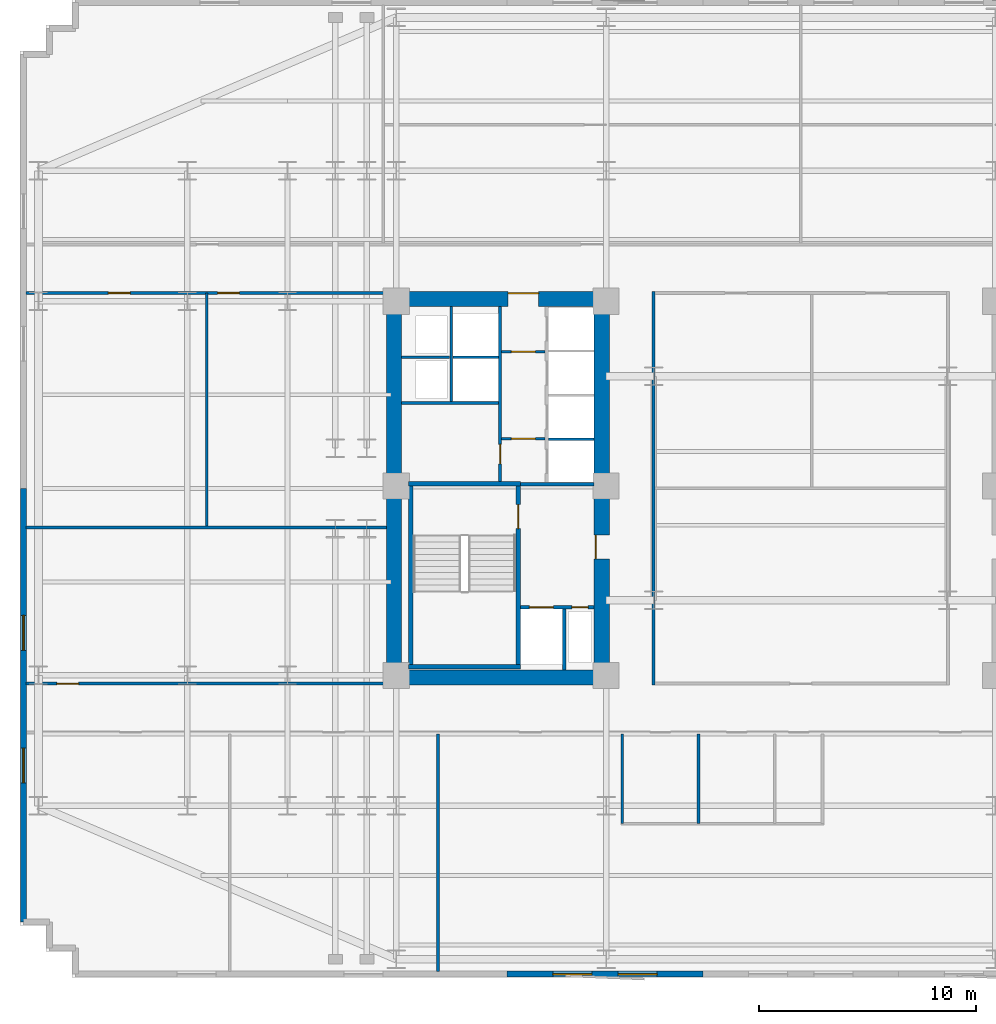
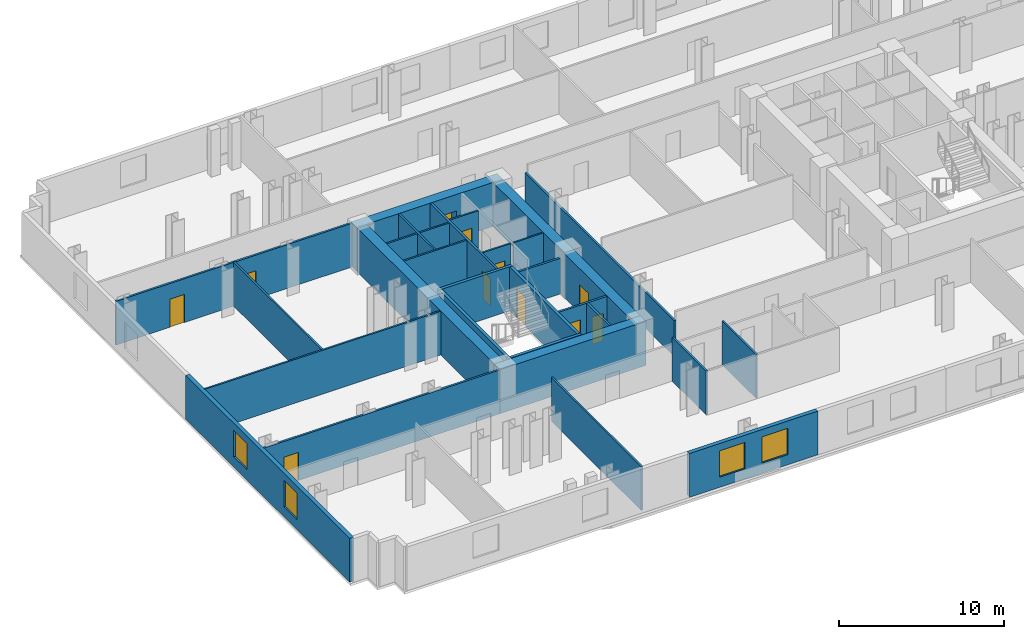
# One storey, part 4 of 10: 29 walls, 11 doors, 4 windows, 15 openings.
"""IFC4 building model written with IfcOpenShell, lengths in metres."""

from ifc_helpers import new_model, si_unit, direction, frame, frame_2d, origin, place, context, subcontext, project, spatial, rectangle, extrude, material, layer, layer_set, type_object, element, fill, save


model = new_model("IFC4")

# Units and contexts
model_context = context("Model", 3, precision=1e-05, world=origin(), true_north=direction((0.0, 1.0)))
body_context = subcontext(model_context, "Body", "Model", "MODEL_VIEW")
ifc_project = project(units=[si_unit("LENGTHUNIT", "METRE"), si_unit("AREAUNIT", "SQUARE_METRE"), si_unit("VOLUMEUNIT", "CUBIC_METRE"), si_unit("PLANEANGLEUNIT", "RADIAN"), si_unit("MASSUNIT", "GRAM", prefix="KILO")], contexts=[model_context])

# Site, building, storey
site_placement = place(None, origin())
site = spatial("IfcSite", under=ifc_project, at=site_placement, CompositionType="ELEMENT")
building_placement = place(site_placement, origin())
building = spatial("IfcBuilding", under=site, at=building_placement, Name="Velakula Bourse", CompositionType="ELEMENT")
storey_placement = place(building_placement, frame((0.0, 0.0, 55.35009765625)))
storey = spatial("IfcBuildingStorey", under=building, at=storey_placement, Name="L14", CompositionType="ELEMENT", Elevation=55.35009765625)

# Wall, opening, door
ifc_material_1 = material(Name="Concrete M50 (fck 50 MPa)", Category="concrete")
ifc_layer_1 = layer(ifc_material_1, 0.2099609375, Name="Concrete M50 (fck 50 MPa)", Category="concrete")
ifc_layer_set_1 = layer_set([ifc_layer_1], Name="Concrete M50 (fck 50 MPa)")
wall_type_1 = type_object("IfcWallType", Name="WL-CORE-210", PredefinedType="SHEAR", material=ifc_layer_set_1)
wall_1_placement = place(storey_placement, frame((-12.9951171875, -8.10009765625, 0.0), z_axis=(0.0, 0.0, 1.0), x_axis=(0.0, 1.0, 0.0)))
wall_1 = element("IfcWall", 1, at=wall_1_placement, inside=storey, type_object=wall_type_1, Name="L14 Core W Stairwell Shear Wall IN", PredefinedType="SHEAR", context=body_context, shape_type="SweptSolid", body=[
    extrude(rectangle(XDim=8.2001953125, YDim=0.2099609375, at=frame_2d((4.10009765625, 0.0))), origin(), (0.0, 0.0, 1.0), 3.27001953125),
])
opening_1_placement = place(wall_1_placement, frame((6.25, 0.0, 0.0)))
opening_1 = element("IfcOpeningElement", 2, at=opening_1_placement, cuts=wall_1, Name="Opening D-STW1", PredefinedType="OPENING", context=body_context, shape_type="SweptSolid", body=[
    extrude(rectangle(XDim=1.10009765625, YDim=2.14990234375, at=frame_2d((0.550048828125, 1.074951171875))), frame((0.0, 0.114990234375, 0.0), z_axis=(0.0, -1.0, 0.0), x_axis=(1.0, 0.0, 0.0)), (0.0, 0.0, 1.0), 0.22998046875),
])
ifc_material_2 = material(Name="Galvanised painted hollow steel fire door", Category="steel")
door_type_1 = type_object("IfcDoorType", Name="DR-FD120-1100x2150", OperationType="NOTDEFINED", PredefinedType="DOOR", material=ifc_material_2)
door_1_placement = place(opening_1_placement, origin())
door_1 = element("IfcDoor", 3, at=door_1_placement, inside=storey, type_object=door_type_1, Name="L14 Stair ST-W1 Fire Door", OperationType="SINGLE_SWING_LEFT", OverallHeight=2.14990234375, OverallWidth=1.10009765625, PredefinedType="DOOR", context=body_context, shape_type="SweptSolid", body=[
    extrude(rectangle(XDim=1.10009765625, YDim=2.14990234375, at=frame_2d((0.550048828125, 1.074951171875))), frame((0.0, 0.02490234375, 0.0), z_axis=(0.0, -1.0, 0.0), x_axis=(1.0, 0.0, 0.0)), (0.0, 0.0, 1.0), 0.050048828125),
])
fill(opening_1, door_1)

# Walls
wall_2_placement = place(storey_placement, frame((-17.925048828125, -8.10009765625, 0.0), z_axis=(0.0, 0.0, 1.0), x_axis=(0.0, 1.0, 0.0)))
element("IfcWall", 4, at=wall_2_placement, inside=storey, type_object=wall_type_1, Name="L14 Core W Stairwell Shear Wall OUT", PredefinedType="SHEAR", context=body_context, shape_type="SweptSolid", body=[
    extrude(rectangle(XDim=8.2001953125, YDim=0.2099609375, at=frame_2d((4.10009765625, 0.0))), origin(), (0.0, 0.0, 1.0), 3.27001953125),
])
for number, where, z_axis, x_axis, name in (
    (5, (-18.030029296875, -8.205078125, 0.0), (0.0, 0.0, 1.0), (1.0, 0.0, 0.0), "L14 Core W Stairwell Shear Wall S"),
    (6, (-12.889892578125, 0.205078125, 0.0), (0.0, 0.0, 1.0), (-1.0, 0.0, 0.0), "L14 Core W Stairwell Shear Wall N"),
):
    element("IfcWall", number, at=place(storey_placement, frame(where, z_axis=z_axis, x_axis=x_axis)), inside=storey, type_object=wall_type_1, Name=name, PredefinedType="SHEAR", context=body_context, shape_type="SweptSolid", body=[
        extrude(rectangle(XDim=5.14013671875, YDim=0.2099609375, at=frame_2d((2.570068359375, 0.0))), origin(), (0.0, 0.0, 1.0), 3.27001953125),
    ])
ifc_material_3 = material(Name="Concrete M70 (fck 70 MPa)", Category="concrete")
ifc_layer_2 = layer(ifc_material_3, 0.699951171875, Name="Concrete M70 (fck 70 MPa)", Category="concrete")
ifc_layer_set_2 = layer_set([ifc_layer_2], Name="Concrete M70 (fck 70 MPa)")
wall_type_2 = type_object("IfcWallType", Name="WL-CORE-700", PredefinedType="SHEAR", material=ifc_layer_set_2)
wall_3_placement = place(storey_placement, frame((-19.050048828125, -8.699951171875, 0.0), z_axis=(0.0, 0.0, 1.0), x_axis=(1.0, 0.0, 0.0)))
element("IfcWall", 7, at=wall_3_placement, inside=storey, type_object=wall_type_2, Name="L14 Core W Shear Wall S", PredefinedType="SHEAR", context=body_context, shape_type="SweptSolid", body=[
    extrude(rectangle(XDim=10.25, YDim=0.699951171875, at=frame_2d((5.125, 0.0))), origin(), (0.0, 0.0, 1.0), 3.27001953125),
])

# Wall, opening, door
wall_4_placement = place(storey_placement, frame((-19.050048828125, 8.699951171875, 0.0), z_axis=(0.0, 0.0, 1.0), x_axis=(1.0, 0.0, 0.0)))
wall_4 = element("IfcWall", 8, at=wall_4_placement, inside=storey, type_object=wall_type_2, Name="L14 Core W Shear Wall N", PredefinedType="SHEAR", context=body_context, shape_type="SweptSolid", body=[
    extrude(rectangle(XDim=10.25, YDim=0.699951171875, at=frame_2d((5.125, 0.0))), origin(), (0.0, 0.0, 1.0), 3.27001953125),
])
opening_2_placement = place(wall_4_placement, frame((5.60009765625, 0.0, 0.0)))
opening_2 = element("IfcOpeningElement", 9, at=opening_2_placement, cuts=wall_4, Name="Opening D-LLW", PredefinedType="OPENING", context=body_context, shape_type="SweptSolid", body=[
    extrude(rectangle(XDim=1.39990234375, YDim=2.050048828125, at=frame_2d((0.699951171875, 1.02490234375))), frame((0.0, 0.35986328125, 0.0), z_axis=(0.0, -1.0, 0.0), x_axis=(1.0, 0.0, 0.0)), (0.0, 0.0, 1.0), 0.719970703125),
])
ifc_material_4 = material(Name="Fire-rated hardwood flush architectural door", Category="wood")
door_type_2 = type_object("IfcDoorType", Name="DR-DBL-FD60-1400", OperationType="DOUBLE_DOOR_SINGLE_SWING", PredefinedType="DOOR", material=ifc_material_4)
door_2_placement = place(opening_2_placement, origin())
door_2 = element("IfcDoor", 10, at=door_2_placement, inside=storey, type_object=door_type_2, Name="L14 Core W Lift Lobby Corridor Double Door", OperationType="DOUBLE_DOOR_SINGLE_SWING", OverallHeight=2.050048828125, OverallWidth=1.39990234375, PredefinedType="DOOR", context=body_context, shape_type="SweptSolid", body=[
    extrude(rectangle(XDim=1.39990234375, YDim=2.050048828125, at=frame_2d((0.699951171875, 1.02490234375))), frame((0.0, 0.294921875, 0.0), z_axis=(0.0, -1.0, 0.0), x_axis=(1.0, 0.0, 0.0)), (0.0, 0.0, 1.0), 0.050048828125),
])
fill(opening_2, door_2)

# Wall
wall_5_placement = place(storey_placement, frame((-18.699951171875, -8.35009765625, 0.0), z_axis=(0.0, 0.0, 1.0), x_axis=(0.0, 1.0, 0.0)))
element("IfcWall", 11, at=wall_5_placement, inside=storey, type_object=wall_type_2, Name="L14 Core W Shear Wall W", PredefinedType="SHEAR", context=body_context, shape_type="SweptSolid", body=[
    extrude(rectangle(XDim=16.7001953125, YDim=0.699951171875, at=frame_2d((8.35009765625, 0.0))), origin(), (0.0, 0.0, 1.0), 3.27001953125),
])

# Wall, opening, door
wall_6_placement = place(storey_placement, frame((-9.14990234375, -8.35009765625, 0.0), z_axis=(0.0, 0.0, 1.0), x_axis=(0.0, 1.0, 0.0)))
wall_6 = element("IfcWall", 12, at=wall_6_placement, inside=storey, type_object=wall_type_2, Name="L14 Core W Shear Wall E", PredefinedType="SHEAR", context=body_context, shape_type="SweptSolid", body=[
    extrude(rectangle(XDim=16.7001953125, YDim=0.699951171875, at=frame_2d((8.35009765625, 0.0))), origin(), (0.0, 0.0, 1.0), 3.27001953125),
])
opening_3_placement = place(wall_6_placement, frame((5.10009765625, 0.0, 0.0)))
opening_3 = element("IfcOpeningElement", 13, at=opening_3_placement, cuts=wall_6, Name="Opening D-FLW", PredefinedType="OPENING", context=body_context, shape_type="SweptSolid", body=[
    extrude(rectangle(XDim=1.10009765625, YDim=2.080078125, at=frame_2d((0.550048828125, 1.0400390625))), frame((0.0, 0.35986328125, 0.0), z_axis=(0.0, -1.0, 0.0), x_axis=(1.0, 0.0, 0.0)), (0.0, 0.0, 1.0), 0.719970703125),
])
door_type_3 = type_object("IfcDoorType", Name="DR-FD120-1100", OperationType="NOTDEFINED", PredefinedType="DOOR", material=ifc_material_2)
door_3_placement = place(opening_3_placement, origin())
door_3 = element("IfcDoor", 14, at=door_3_placement, inside=storey, type_object=door_type_3, Name="L14 Firefighting Lobby W Corridor Fire Door", OperationType="SINGLE_SWING_LEFT", OverallHeight=2.080078125, OverallWidth=1.10009765625, PredefinedType="DOOR", context=body_context, shape_type="SweptSolid", body=[
    extrude(rectangle(XDim=1.10009765625, YDim=2.080078125, at=frame_2d((0.550048828125, 1.0400390625))), frame((0.0, 0.30517578125, 0.0), z_axis=(0.0, -1.0, 0.0), x_axis=(1.0, 0.0, 0.0)), (0.0, 0.0, 1.0), 0.050048828125),
])
fill(opening_3, door_3)

# Wall, openings, windows
ifc_material_5 = material(Name="Red kilned clay facing brick masonry", Category="masonry")
ifc_layer_3 = layer(ifc_material_5, 0.280029296875, Name="Red kilned clay facing brick masonry", Category="masonry")
ifc_layer_set_3 = layer_set([ifc_layer_3], Name="Red kilned clay facing brick masonry")
wall_type_3 = type_object("IfcWallType", Name="WL-EXT-BRK-280", PredefinedType="STANDARD", material=ifc_layer_set_3)
wall_7_placement = place(storey_placement, frame((-4.5, -22.340087890625, 0.0), z_axis=(0.0, 0.0, 1.0), x_axis=(-1.0, 0.0, 0.0)))
wall_7 = element("IfcWall", 15, at=wall_7_placement, inside=storey, type_object=wall_type_3, Name="L14 S Brick Spandrel Wall B2", PredefinedType="STANDARD", context=body_context, shape_type="SweptSolid", body=[
    extrude(rectangle(XDim=9.0, YDim=0.280029296875, at=frame_2d((4.5, 0.0))), origin(), (0.0, 0.0, 1.0), 3.25),
])
opening_4_placement = place(wall_7_placement, frame((2.10009765625, 0.0, 0.760009765625)))
opening_4 = element("IfcOpeningElement", 16, at=opening_4_placement, cuts=wall_7, Name="Opening W-01", PredefinedType="OPENING", context=body_context, shape_type="SweptSolid", body=[
    extrude(rectangle(XDim=1.800048828125, YDim=1.949951171875, at=frame_2d((0.89990234375, 0.97509765625))), frame((0.0, 0.14990234375, 0.0), z_axis=(0.0, -1.0, 0.0), x_axis=(1.0, 0.0, 0.0)), (0.0, 0.0, 1.0), 0.300048828125),
])
opening_5_placement = place(wall_7_placement, frame((5.10009765625, 0.0, 0.760009765625)))
opening_5 = element("IfcOpeningElement", 17, at=opening_5_placement, cuts=wall_7, Name="Opening W-01", PredefinedType="OPENING", context=body_context, shape_type="SweptSolid", body=[
    extrude(rectangle(XDim=1.800048828125, YDim=1.949951171875, at=frame_2d((0.89990234375, 0.97509765625))), frame((0.0, 0.14990234375, 0.0), z_axis=(0.0, -1.0, 0.0), x_axis=(1.0, 0.0, 0.0)), (0.0, 0.0, 1.0), 0.300048828125),
])
ifc_material_6 = material(Name="Double-glazed solar-control Low-E glass", Category="glass")
window_type_1 = type_object("IfcWindowType", Name="WIN-TWR-1800x2100", PartitioningType="SINGLE_PANEL", PredefinedType="WINDOW", material=ifc_material_6)
window_1_placement = place(opening_4_placement, origin())
window_1 = element("IfcWindow", 18, at=window_1_placement, inside=storey, type_object=window_type_1, Name="L14 Deep-Set Recessed Window 1", OverallHeight=1.949951171875, OverallWidth=1.800048828125, PartitioningType="SINGLE_PANEL", PredefinedType="WINDOW", context=body_context, shape_type="SweptSolid", body=[
    extrude(rectangle(XDim=1.800048828125, YDim=1.949951171875, at=frame_2d((0.89990234375, 0.97509765625))), frame((0.0, 0.030029296875, 0.0), z_axis=(0.0, -1.0, 0.0), x_axis=(1.0, 0.0, 0.0)), (0.0, 0.0, 1.0), 0.06005859375),
])
fill(opening_4, window_1)
window_2_placement = place(opening_5_placement, origin())
window_2 = element("IfcWindow", 19, at=window_2_placement, inside=storey, type_object=window_type_1, Name="L14 Deep-Set Recessed Window 2", OverallHeight=1.949951171875, OverallWidth=1.800048828125, PartitioningType="SINGLE_PANEL", PredefinedType="WINDOW", context=body_context, shape_type="SweptSolid", body=[
    extrude(rectangle(XDim=1.800048828125, YDim=1.949951171875, at=frame_2d((0.89990234375, 0.97509765625))), frame((0.0, 0.030029296875, 0.0), z_axis=(0.0, -1.0, 0.0), x_axis=(1.0, 0.0, 0.0)), (0.0, 0.0, 1.0), 0.06005859375),
])
fill(opening_5, window_2)

wall_8_placement = place(storey_placement, frame((-35.739990234375, -19.93994140625, 0.0), z_axis=(0.0, 0.0, 1.0), x_axis=(0.0, 1.0, 0.0)))
wall_8 = element("IfcWall", 20, at=wall_8_placement, inside=storey, type_object=wall_type_3, Name="L14 W Brick End Wall W1", PredefinedType="STANDARD", context=body_context, shape_type="SweptSolid", body=[
    extrude(rectangle(XDim=19.93994140625, YDim=0.280029296875, at=frame_2d((9.969970703125, 0.0))), origin(), (0.0, 0.0, 1.0), 3.25),
])
opening_6_placement = place(wall_8_placement, frame((6.396728515625, 0.0, 0.760009765625)))
opening_6 = element("IfcOpeningElement", 21, at=opening_6_placement, cuts=wall_8, Name="Opening W-02", PredefinedType="OPENING", context=body_context, shape_type="SweptSolid", body=[
    extrude(rectangle(XDim=1.60009765625, YDim=1.949951171875, at=frame_2d((0.800048828125, 0.97509765625))), frame((0.0, 0.14990234375, 0.0), z_axis=(0.0, -1.0, 0.0), x_axis=(1.0, 0.0, 0.0)), (0.0, 0.0, 1.0), 0.300048828125),
])
opening_7_placement = place(wall_8_placement, frame((12.493408203125, 0.0, 0.760009765625)))
opening_7 = element("IfcOpeningElement", 22, at=opening_7_placement, cuts=wall_8, Name="Opening W-02", PredefinedType="OPENING", context=body_context, shape_type="SweptSolid", body=[
    extrude(rectangle(XDim=1.60009765625, YDim=1.949951171875, at=frame_2d((0.800048828125, 0.97509765625))), frame((0.0, 0.14990234375, 0.0), z_axis=(0.0, -1.0, 0.0), x_axis=(1.0, 0.0, 0.0)), (0.0, 0.0, 1.0), 0.300048828125),
])
window_type_2 = type_object("IfcWindowType", Name="WIN-TWR-1600x2100", PartitioningType="SINGLE_PANEL", PredefinedType="WINDOW", material=ifc_material_6)
window_3_placement = place(opening_6_placement, origin())
window_3 = element("IfcWindow", 23, at=window_3_placement, inside=storey, type_object=window_type_2, Name="L14 Deep-Set Recessed Window 1", OverallHeight=1.949951171875, OverallWidth=1.60009765625, PartitioningType="SINGLE_PANEL", PredefinedType="WINDOW", context=body_context, shape_type="SweptSolid", body=[
    extrude(rectangle(XDim=1.60009765625, YDim=1.949951171875, at=frame_2d((0.800048828125, 0.97509765625))), frame((0.0, 0.030029296875, 0.0), z_axis=(0.0, -1.0, 0.0), x_axis=(1.0, 0.0, 0.0)), (0.0, 0.0, 1.0), 0.06005859375),
])
fill(opening_6, window_3)
window_4_placement = place(opening_7_placement, origin())
window_4 = element("IfcWindow", 24, at=window_4_placement, inside=storey, type_object=window_type_2, Name="L14 Deep-Set Recessed Window 2", OverallHeight=1.949951171875, OverallWidth=1.60009765625, PartitioningType="SINGLE_PANEL", PredefinedType="WINDOW", context=body_context, shape_type="SweptSolid", body=[
    extrude(rectangle(XDim=1.60009765625, YDim=1.949951171875, at=frame_2d((0.800048828125, 0.97509765625))), frame((0.0, 0.030029296875, 0.0), z_axis=(0.0, -1.0, 0.0), x_axis=(1.0, 0.0, 0.0)), (0.0, 0.0, 1.0), 0.06005859375),
])
fill(opening_7, window_4)

# Wall, opening, door
ifc_material_7 = material(Name="Fire-rated double-layer gypsum drywall partition", Category="gypsum")
ifc_layer_4 = layer(ifc_material_7, 0.1201171875, Name="Fire-rated double-layer gypsum drywall partition", Category="gypsum")
ifc_layer_set_4 = layer_set([ifc_layer_4], Name="Fire-rated double-layer gypsum drywall partition")
wall_type_4 = type_object("IfcWallType", Name="WL-PART-120", PredefinedType="STANDARD", material=ifc_layer_set_4)
wall_9_placement = place(storey_placement, frame((-13.75, 2.280029296875, 0.0), z_axis=(0.0, 0.0, 1.0), x_axis=(1.0, 0.0, 0.0)))
wall_9 = element("IfcWall", 25, at=wall_9_placement, inside=storey, type_object=wall_type_4, Name="L14 Interior Partition WL-CRW-L14-LL-K3A", PredefinedType="STANDARD", context=body_context, shape_type="SweptSolid", body=[
    extrude(rectangle(XDim=2.0, YDim=0.1201171875, at=frame_2d((1.0, 0.0))), origin(), (0.0, 0.0, 1.0), 3.25),
])
opening_8_placement = place(wall_9_placement, frame((0.449951171875, 0.0, 0.0)))
opening_8 = element("IfcOpeningElement", 26, at=opening_8_placement, cuts=wall_9, Name="Opening D-LK3", PredefinedType="OPENING", context=body_context, shape_type="SweptSolid", body=[
    extrude(rectangle(XDim=1.10009765625, YDim=2.10009765625, at=frame_2d((0.550048828125, 1.050048828125))), frame((0.0, 0.070068359375, 0.0), z_axis=(0.0, -1.0, 0.0), x_axis=(1.0, 0.0, 0.0)), (0.0, 0.0, 1.0), 0.14013671875),
])
door_type_4 = type_object("IfcDoorType", Name="DR-FD60-1100x2100", OperationType="NOTDEFINED", PredefinedType="DOOR", material=ifc_material_4)
door_4_placement = place(opening_8_placement, origin())
door_4 = element("IfcDoor", 27, at=door_4_placement, inside=storey, type_object=door_type_4, Name="L14 Core W Lift Lobby Vestibule Door A", OperationType="SINGLE_SWING_RIGHT", OverallHeight=2.10009765625, OverallWidth=1.10009765625, PredefinedType="DOOR", context=body_context, shape_type="SweptSolid", body=[
    extrude(rectangle(XDim=1.10009765625, YDim=2.10009765625, at=frame_2d((0.550048828125, 1.050048828125))), frame((0.0, 0.02490234375, 0.0), z_axis=(0.0, -1.0, 0.0), x_axis=(1.0, 0.0, 0.0)), (0.0, 0.0, 1.0), 0.050048828125),
])
fill(opening_8, door_4)

wall_10_placement = place(storey_placement, frame((-13.75, 6.280029296875, 0.0), z_axis=(0.0, 0.0, 1.0), x_axis=(1.0, 0.0, 0.0)))
wall_10 = element("IfcWall", 28, at=wall_10_placement, inside=storey, type_object=wall_type_4, Name="L14 Interior Partition WL-CRW-L14-LL-K3B", PredefinedType="STANDARD", context=body_context, shape_type="SweptSolid", body=[
    extrude(rectangle(XDim=2.0, YDim=0.1201171875, at=frame_2d((1.0, 0.0))), origin(), (0.0, 0.0, 1.0), 3.25),
])
opening_9_placement = place(wall_10_placement, frame((0.449951171875, 0.0, 0.0)))
opening_9 = element("IfcOpeningElement", 29, at=opening_9_placement, cuts=wall_10, Name="Opening D-LK3", PredefinedType="OPENING", context=body_context, shape_type="SweptSolid", body=[
    extrude(rectangle(XDim=1.10009765625, YDim=2.10009765625, at=frame_2d((0.550048828125, 1.050048828125))), frame((0.0, 0.070068359375, 0.0), z_axis=(0.0, -1.0, 0.0), x_axis=(1.0, 0.0, 0.0)), (0.0, 0.0, 1.0), 0.14013671875),
])
door_5_placement = place(opening_9_placement, origin())
door_5 = element("IfcDoor", 30, at=door_5_placement, inside=storey, type_object=door_type_4, Name="L14 Core W Lift Lobby Vestibule Door B", OperationType="SINGLE_SWING_RIGHT", OverallHeight=2.10009765625, OverallWidth=1.10009765625, PredefinedType="DOOR", context=body_context, shape_type="SweptSolid", body=[
    extrude(rectangle(XDim=1.10009765625, YDim=2.10009765625, at=frame_2d((0.550048828125, 1.050048828125))), frame((0.0, 0.02490234375, 0.0), z_axis=(0.0, -1.0, 0.0), x_axis=(1.0, 0.0, 0.0)), (0.0, 0.0, 1.0), 0.050048828125),
])
fill(opening_9, door_5)

# Walls
wall_11_placement = place(storey_placement, frame((-11.60009765625, 2.2548828125, 0.0), z_axis=(0.0, 0.0, 1.0), x_axis=(1.0, 0.0, 0.0)))
element("IfcWall", 31, at=wall_11_placement, inside=storey, type_object=wall_type_4, Name="L14 Interior Partition WL-CRW-L14-BDIV-0", PredefinedType="STANDARD", context=body_context, shape_type="SweptSolid", body=[
    extrude(rectangle(XDim=2.10009765625, YDim=0.110107421875, at=frame_2d((1.050048828125, 0.0))), origin(), (0.0, 0.0, 1.0), 3.25),
])
wall_12_placement = place(storey_placement, frame((-18.35009765625, 3.919921875, 0.0), z_axis=(0.0, 0.0, 1.0), x_axis=(1.0, 0.0, 0.0)))
element("IfcWall", 32, at=wall_12_placement, inside=storey, type_object=wall_type_4, Name="L14 Interior Partition WL-CRW-L14-HI-S", PredefinedType="STANDARD", context=body_context, shape_type="SweptSolid", body=[
    extrude(rectangle(XDim=4.4501953125, YDim=0.1201171875, at=frame_2d((2.22509765625, 0.0))), origin(), (0.0, 0.0, 1.0), 3.25),
])
wall_13_placement = place(storey_placement, frame((-18.35009765625, 6.030029296875, 0.0), z_axis=(0.0, 0.0, 1.0), x_axis=(1.0, 0.0, 0.0)))
element("IfcWall", 33, at=wall_13_placement, inside=storey, type_object=wall_type_4, Name="L14 Interior Partition WL-CRW-L14-RIS-MID", PredefinedType="STANDARD", context=body_context, shape_type="SweptSolid", body=[
    extrude(rectangle(XDim=2.2001953125, YDim=0.1201171875, at=frame_2d((1.10009765625, 0.0))), origin(), (0.0, 0.0, 1.0), 3.25),
])
wall_14_placement = place(storey_placement, frame((-16.074951171875, 3.97998046875, 0.0), z_axis=(0.0, 0.0, 1.0), x_axis=(0.0, 1.0, 0.0)))
element("IfcWall", 34, at=wall_14_placement, inside=storey, type_object=wall_type_4, Name="L14 Interior Partition WL-CRW-L14-RIS-F", PredefinedType="STANDARD", context=body_context, shape_type="SweptSolid", body=[
    extrude(rectangle(XDim=4.3701171875, YDim=0.1201171875, at=frame_2d((2.18505859375, 0.0))), origin(), (0.0, 0.0, 1.0), 3.25),
])
wall_15_placement = place(storey_placement, frame((-16.0, 6.030029296875, 0.0), z_axis=(0.0, 0.0, 1.0), x_axis=(1.0, 0.0, 0.0)))
element("IfcWall", 35, at=wall_15_placement, inside=storey, type_object=wall_type_4, Name="L14 Interior Partition WL-CRW-L14-HI-DIV", PredefinedType="STANDARD", context=body_context, shape_type="SweptSolid", body=[
    extrude(rectangle(XDim=2.10009765625, YDim=0.1201171875, at=frame_2d((1.050048828125, 0.0))), origin(), (0.0, 0.0, 1.0), 3.25),
])
for number, where, z_axis, x_axis, name in (
    (36, (-8.199951171875, -15.419921875, 0.0), (0.0, 0.0, 1.0), (0.0, 1.0, 0.0), "L14 Interior Partition WL-WC-L14-V1"),
    (37, (-4.699951171875, -15.419921875, 0.0), (0.0, 0.0, 1.0), (0.0, 1.0, 0.0), "L14 Interior Partition WL-WC-L14-V2"),
):
    element("IfcWall", number, at=place(storey_placement, frame(where, z_axis=z_axis, x_axis=x_axis)), inside=storey, type_object=wall_type_4, Name=name, PredefinedType="STANDARD", context=body_context, shape_type="SweptSolid", body=[
        extrude(rectangle(XDim=4.1298828125, YDim=0.1201171875, at=frame_2d((2.06494140625, 0.0))), origin(), (0.0, 0.0, 1.0), 3.25),
    ])
wall_16_placement = place(storey_placement, frame((-16.681884765625, -22.219970703125, 0.0), z_axis=(0.0, 0.0, 1.0), x_axis=(0.0, 1.0, 0.0)))
element("IfcWall", 38, at=wall_16_placement, inside=storey, type_object=wall_type_4, Name="L14 Interior Partition WL-INT-L14-SL-D6", PredefinedType="STANDARD", context=body_context, shape_type="SweptSolid", body=[
    extrude(rectangle(XDim=10.929931640625, YDim=0.1201171875, at=frame_2d((5.46484375, 0.0))), origin(), (0.0, 0.0, 1.0), 3.25),
])
wall_17_placement = place(storey_placement, frame((-35.6201171875, -1.800048828125, 0.0), z_axis=(0.0, 0.0, 1.0), x_axis=(1.0, 0.0, 0.0)))
element("IfcWall", 39, at=wall_17_placement, inside=storey, type_object=wall_type_4, Name="L14 Interior Partition WL-INT-L14-W-H", PredefinedType="STANDARD", context=body_context, shape_type="SweptSolid", body=[
    extrude(rectangle(XDim=16.570068359375, YDim=0.1201171875, at=frame_2d((8.28515625, 0.0))), origin(), (0.0, 0.0, 1.0), 3.25),
])
wall_18_placement = place(storey_placement, frame((-27.304931640625, -1.739990234375, 0.0), z_axis=(0.0, 0.0, 1.0), x_axis=(0.0, 1.0, 0.0)))
element("IfcWall", 40, at=wall_18_placement, inside=storey, type_object=wall_type_4, Name="L14 Interior Partition WL-INT-L14-W-VN", PredefinedType="STANDARD", context=body_context, shape_type="SweptSolid", body=[
    extrude(rectangle(XDim=10.719970703125, YDim=0.1201171875, at=frame_2d((5.35986328125, 0.0))), origin(), (0.0, 0.0, 1.0), 3.25),
])

# Wall, openings, doors
ifc_layer_5 = layer(ifc_material_7, 0.139892578125, Name="Fire-rated double-layer gypsum drywall partition", Category="gypsum")
ifc_layer_set_5 = layer_set([ifc_layer_5], Name="Fire-rated double-layer gypsum drywall partition")
wall_type_5 = type_object("IfcWallType", Name="WL-PART-140", PredefinedType="STANDARD", material=ifc_layer_set_5)
wall_19_placement = place(storey_placement, frame((-35.6201171875, 8.97998046875, 0.0), z_axis=(0.0, 0.0, 1.0), x_axis=(1.0, 0.0, 0.0)))
wall_19 = element("IfcWall", 41, at=wall_19_placement, inside=storey, type_object=wall_type_5, Name="L14 Interior Partition WL-INT-L14-W-NC", PredefinedType="STANDARD", context=body_context, shape_type="SweptSolid", body=[
    extrude(rectangle(XDim=16.570068359375, YDim=0.139892578125, at=frame_2d((8.28515625, 0.0))), origin(), (0.0, 0.0, 1.0), 3.25),
])
opening_10_placement = place(wall_19_placement, frame((3.78759765625, 0.0, 0.0)))
opening_10 = element("IfcOpeningElement", 42, at=opening_10_placement, cuts=wall_19, Name="Opening D-OF1", PredefinedType="OPENING", context=body_context, shape_type="SweptSolid", body=[
    extrude(rectangle(XDim=1.0, YDim=2.080078125, at=frame_2d((0.5, 1.0400390625))), frame((0.0, 0.079833984375, 0.0), z_axis=(0.0, -1.0, 0.0), x_axis=(1.0, 0.0, 0.0)), (0.0, 0.0, 1.0), 0.159912109375),
])
opening_11_placement = place(wall_19_placement, frame((8.8046875, 0.0, 0.0)))
opening_11 = element("IfcOpeningElement", 43, at=opening_11_placement, cuts=wall_19, Name="Opening D-OF1", PredefinedType="OPENING", context=body_context, shape_type="SweptSolid", body=[
    extrude(rectangle(XDim=1.0, YDim=2.080078125, at=frame_2d((0.5, 1.0400390625))), frame((0.0, 0.079833984375, 0.0), z_axis=(0.0, -1.0, 0.0), x_axis=(1.0, 0.0, 0.0)), (0.0, 0.0, 1.0), 0.159912109375),
])
door_type_5 = type_object("IfcDoorType", Name="DR-OFF-1000", OperationType="NOTDEFINED", PredefinedType="DOOR", material=ifc_material_4)
door_6_placement = place(opening_10_placement, origin())
door_6 = element("IfcDoor", 44, at=door_6_placement, inside=storey, type_object=door_type_5, Name="L14 Asset Allocation Office Door", OperationType="SINGLE_SWING_RIGHT", OverallHeight=2.080078125, OverallWidth=1.0, PredefinedType="DOOR", context=body_context, shape_type="SweptSolid", body=[
    extrude(rectangle(XDim=1.0, YDim=2.080078125, at=frame_2d((0.5, 1.0400390625))), frame((0.0, 0.02490234375, 0.0), z_axis=(0.0, -1.0, 0.0), x_axis=(1.0, 0.0, 0.0)), (0.0, 0.0, 1.0), 0.050048828125),
])
fill(opening_10, door_6)
door_7_placement = place(opening_11_placement, origin())
door_7 = element("IfcDoor", 45, at=door_7_placement, inside=storey, type_object=door_type_5, Name="L14 Peer Review Boardroom Door", OperationType="SINGLE_SWING_LEFT", OverallHeight=2.080078125, OverallWidth=1.0, PredefinedType="DOOR", context=body_context, shape_type="SweptSolid", body=[
    extrude(rectangle(XDim=1.0, YDim=2.080078125, at=frame_2d((0.5, 1.0400390625))), frame((0.0, 0.02490234375, 0.0), z_axis=(0.0, -1.0, 0.0), x_axis=(1.0, 0.0, 0.0)), (0.0, 0.0, 1.0), 0.050048828125),
])
fill(opening_11, door_7)

# Wall, opening, door
wall_20_placement = place(storey_placement, frame((-35.6201171875, -8.97998046875, 0.0), z_axis=(0.0, 0.0, 1.0), x_axis=(1.0, 0.0, 0.0)))
wall_20 = element("IfcWall", 46, at=wall_20_placement, inside=storey, type_object=wall_type_5, Name="L14 Interior Partition WL-INT-L14-W-SC", PredefinedType="STANDARD", context=body_context, shape_type="SweptSolid", body=[
    extrude(rectangle(XDim=16.570068359375, YDim=0.139892578125, at=frame_2d((8.28515625, 0.0))), origin(), (0.0, 0.0, 1.0), 3.25),
])
opening_12_placement = place(wall_20_placement, frame((1.417724609375, 0.0, 0.0)))
opening_12 = element("IfcOpeningElement", 47, at=opening_12_placement, cuts=wall_20, Name="Opening D-OF1", PredefinedType="OPENING", context=body_context, shape_type="SweptSolid", body=[
    extrude(rectangle(XDim=1.0, YDim=2.080078125, at=frame_2d((0.5, 1.0400390625))), frame((0.0, 0.079833984375, 0.0), z_axis=(0.0, -1.0, 0.0), x_axis=(1.0, 0.0, 0.0)), (0.0, 0.0, 1.0), 0.159912109375),
])
door_8_placement = place(opening_12_placement, origin())
door_8 = element("IfcDoor", 48, at=door_8_placement, inside=storey, type_object=door_type_5, Name="L14 Asset Allocation Office Door", OperationType="SINGLE_SWING_RIGHT", OverallHeight=2.080078125, OverallWidth=1.0, PredefinedType="DOOR", context=body_context, shape_type="SweptSolid", body=[
    extrude(rectangle(XDim=1.0, YDim=2.080078125, at=frame_2d((0.5, 1.0400390625))), frame((0.0, 0.02490234375, 0.0), z_axis=(0.0, -1.0, 0.0), x_axis=(1.0, 0.0, 0.0)), (0.0, 0.0, 1.0), 0.050048828125),
])
fill(opening_12, door_8)

# Wall
wall_21_placement = place(storey_placement, frame((-6.780029296875, -9.050048828125, 0.0), z_axis=(0.0, 0.0, 1.0), x_axis=(0.0, 1.0, 0.0)))
element("IfcWall", 49, at=wall_21_placement, inside=storey, type_object=wall_type_5, Name="L14 Interior Partition WL-INT-L14-MID-W", PredefinedType="STANDARD", context=body_context, shape_type="SweptSolid", body=[
    extrude(rectangle(XDim=18.10009765625, YDim=0.139892578125, at=frame_2d((9.050048828125, 0.0))), origin(), (0.0, 0.0, 1.0), 2.64501953125),
])

# Wall, openings, doors
ifc_material_8 = material(Name="Autoclaved aerated concrete blockwork masonry", Category="masonry")
ifc_layer_6 = layer(ifc_material_8, 0.14990234375, Name="Autoclaved aerated concrete blockwork masonry", Category="masonry")
ifc_layer_set_6 = layer_set([ifc_layer_6], Name="Autoclaved aerated concrete blockwork masonry")
wall_type_6 = type_object("IfcWallType", Name="WL-SHAFT-150", PredefinedType="STANDARD", material=ifc_layer_set_6)
wall_22_placement = place(storey_placement, frame((-12.89501953125, -5.47509765625, 0.0), z_axis=(0.0, 0.0, 1.0), x_axis=(1.0, 0.0, 0.0)))
wall_22 = element("IfcWall", 50, at=wall_22_placement, inside=storey, type_object=wall_type_6, Name="L14 Interior Partition WL-CRW-L14-FFL-N", PredefinedType="STANDARD", context=body_context, shape_type="SweptSolid", body=[
    extrude(rectangle(XDim=3.39501953125, YDim=0.14990234375, at=frame_2d((1.697509765625, 0.0))), origin(), (0.0, 0.0, 1.0), 3.25),
])
opening_13_placement = place(wall_22_placement, frame((0.419921875, 0.0, 0.0)))
opening_13 = element("IfcOpeningElement", 51, at=opening_13_placement, cuts=wall_22, Name="Opening LD-FFL-1", PredefinedType="OPENING", context=body_context, shape_type="SweptSolid", body=[
    extrude(rectangle(XDim=1.10009765625, YDim=2.14990234375, at=frame_2d((0.550048828125, 1.074951171875))), frame((0.0, 0.0849609375, 0.0), z_axis=(0.0, -1.0, 0.0), x_axis=(1.0, 0.0, 0.0)), (0.0, 0.0, 1.0), 0.169921875),
])
opening_14_placement = place(wall_22_placement, frame((2.3701171875, 0.0, 0.0)))
opening_14 = element("IfcOpeningElement", 52, at=opening_14_placement, cuts=wall_22, Name="Opening D-RS1", PredefinedType="OPENING", context=body_context, shape_type="SweptSolid", body=[
    extrude(rectangle(XDim=0.75, YDim=2.050048828125, at=frame_2d((0.375, 1.02490234375))), frame((0.0, 0.0849609375, 0.0), z_axis=(0.0, -1.0, 0.0), x_axis=(1.0, 0.0, 0.0)), (0.0, 0.0, 1.0), 0.169921875),
])
door_type_6 = type_object("IfcDoorType", Name="DR-RISER-800", OperationType="NOTDEFINED", PredefinedType="DOOR", material=ifc_material_2)
door_9_placement = place(opening_14_placement, origin())
door_9 = element("IfcDoor", 53, at=door_9_placement, inside=storey, type_object=door_type_6, Name="L14 Fire Riser Access Door", OperationType="SINGLE_SWING_LEFT", OverallHeight=2.050048828125, OverallWidth=0.75, PredefinedType="DOOR", context=body_context, shape_type="SweptSolid", body=[
    extrude(rectangle(XDim=0.75, YDim=2.050048828125, at=frame_2d((0.375, 1.02490234375))), frame((0.0, 0.02490234375, 0.0), z_axis=(0.0, -1.0, 0.0), x_axis=(1.0, 0.0, 0.0)), (0.0, 0.0, 1.0), 0.050048828125),
])
fill(opening_14, door_9)
ifc_material_9 = material(Name="Brushed grade 316 stainless steel", Category="steel")
door_type_7 = type_object("IfcDoorType", Name="DR-SLIDE-FFL-1100", OperationType="DOUBLE_DOOR_SLIDING", PredefinedType="DOOR", material=ifc_material_9)
door_10_placement = place(opening_13_placement, origin())
door_10 = element("IfcDoor", 54, at=door_10_placement, inside=storey, type_object=door_type_7, Name="L14 Firefighting Lift FFL-1 Sliding Landing Door", OperationType="DOUBLE_DOOR_SLIDING", OverallHeight=2.14990234375, OverallWidth=1.10009765625, PredefinedType="DOOR", context=body_context, shape_type="SweptSolid", body=[
    extrude(rectangle(XDim=1.10009765625, YDim=2.14990234375, at=frame_2d((0.550048828125, 1.074951171875))), frame((0.0, 0.02490234375, 0.0), z_axis=(0.0, -1.0, 0.0), x_axis=(1.0, 0.0, 0.0)), (0.0, 0.0, 1.0), 0.050048828125),
])
fill(opening_13, door_10)

# Walls
wall_23_placement = place(storey_placement, frame((-10.875, -8.35009765625, 0.0), z_axis=(0.0, 0.0, 1.0), x_axis=(0.0, 1.0, 0.0)))
element("IfcWall", 55, at=wall_23_placement, inside=storey, type_object=wall_type_6, Name="L14 Interior Partition WL-CRW-L14-FR-DIV", PredefinedType="STANDARD", context=body_context, shape_type="SweptSolid", body=[
    extrude(rectangle(XDim=2.800048828125, YDim=0.14990234375, at=frame_2d((1.39990234375, 0.0))), origin(), (0.0, 0.0, 1.0), 3.25),
])
wall_24_placement = place(storey_placement, frame((-12.889892578125, 0.18994140625, 0.0), z_axis=(0.0, 0.0, 1.0), x_axis=(1.0, 0.0, 0.0)))
element("IfcWall", 56, at=wall_24_placement, inside=storey, type_object=wall_type_6, Name="L14 Interior Partition WL-CRW-L14-FF-TOP", PredefinedType="STANDARD", context=body_context, shape_type="SweptSolid", body=[
    extrude(rectangle(XDim=3.389892578125, YDim=0.14990234375, at=frame_2d((1.69482421875, 0.0))), origin(), (0.0, 0.0, 1.0), 2.64501953125),
])

# Wall, opening, door
wall_25_placement = place(storey_placement, frame((-13.824951171875, 0.27001953125, 0.0), z_axis=(0.0, 0.0, 1.0), x_axis=(0.0, 1.0, 0.0)))
wall_25 = element("IfcWall", 57, at=wall_25_placement, inside=storey, type_object=wall_type_6, Name="L14 Interior Partition WL-CRW-L14-OUT-F", PredefinedType="STANDARD", context=body_context, shape_type="SweptSolid", body=[
    extrude(rectangle(XDim=8.080078125, YDim=0.14990234375, at=frame_2d((4.0400390625, 0.0))), origin(), (0.0, 0.0, 1.0), 3.25),
])
opening_15_placement = place(wall_25_placement, frame((0.85009765625, 0.0, 0.0)))
opening_15 = element("IfcOpeningElement", 58, at=opening_15_placement, cuts=wall_25, Name="Opening D-CR3", PredefinedType="OPENING", context=body_context, shape_type="SweptSolid", body=[
    extrude(rectangle(XDim=0.89990234375, YDim=2.050048828125, at=frame_2d((0.449951171875, 1.02490234375))), frame((0.0, 0.0849609375, 0.0), z_axis=(0.0, -1.0, 0.0), x_axis=(1.0, 0.0, 0.0)), (0.0, 0.0, 1.0), 0.169921875),
])
door_type_8 = type_object("IfcDoorType", Name="DR-INT-900", OperationType="NOTDEFINED", PredefinedType="DOOR", material=ifc_material_4)
door_11_placement = place(opening_15_placement, origin())
door_11 = element("IfcDoor", 59, at=door_11_placement, inside=storey, type_object=door_type_8, Name="L14 Core Stationery and Mail Room Door", OperationType="SINGLE_SWING_RIGHT", OverallHeight=2.050048828125, OverallWidth=0.89990234375, PredefinedType="DOOR", context=body_context, shape_type="SweptSolid", body=[
    extrude(rectangle(XDim=0.89990234375, YDim=2.050048828125, at=frame_2d((0.449951171875, 1.02490234375))), frame((0.0, 0.02490234375, 0.0), z_axis=(0.0, -1.0, 0.0), x_axis=(1.0, 0.0, 0.0)), (0.0, 0.0, 1.0), 0.050048828125),
])
fill(opening_15, door_11)

save(model, "model.ifc")
